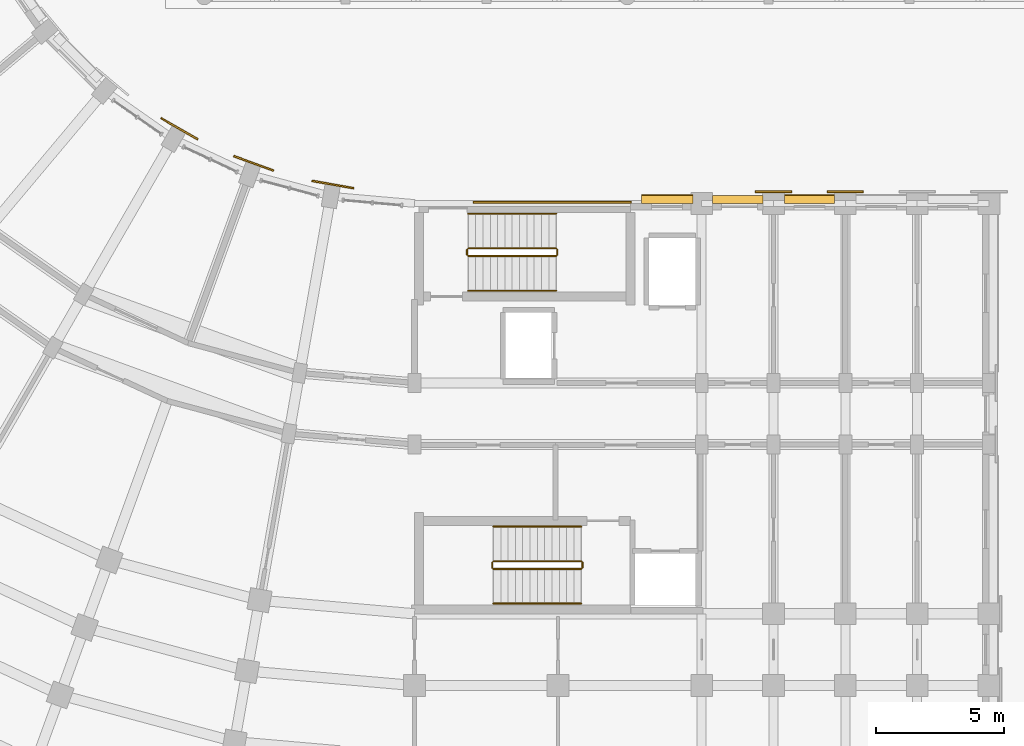
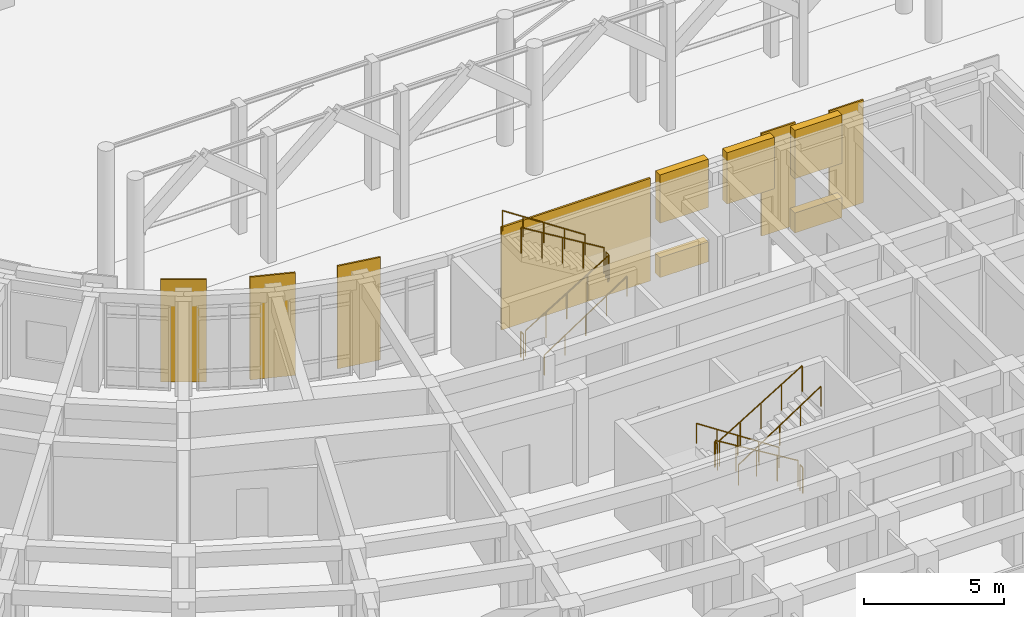
# One storey, part 117 of 135: 12 railings, 11 coverings.
"""IFC4 building model written with IfcOpenShell, lengths in metres."""

import ifcopenshell
import ifcopenshell.guid

model = None  # the IFC model being written
_history = None  # IfcOwnerHistory: only IFC2X3 demands one
_inside = {}  # id of a spatial element -> (the spatial element, [elements in it])
_under = {}  # id of a project, library or spatial element -> (it, [spatial elements below it])
_declared = {}  # id of a project -> (the project, [libraries it declares])
_typed = {}  # id of a type object -> (the type object, [elements of that type])
_made_of = {}  # id of a material, layer set ... -> (it, [elements and type objects made of it])


def new_model(schema):
    """Start an empty IFC model of exactly this schema.

    Asked for "IFC4X3", IfcOpenShell would pick the latest addendum, in which some entities
    have other attributes; the version numbers below select the first issue.
    IFC2X3 requires an IfcOwnerHistory on every rooted entity: one is made here for all.
    """
    global model, _history
    if schema == "IFC4X3":
        model = ifcopenshell.file(schema_version=(4, 3, 0, 0))
    else:
        model = ifcopenshell.file(schema=schema)
    _inside.clear()
    _under.clear()
    _declared.clear()
    _typed.clear()
    _made_of.clear()
    _history = None
    if model.schema == "IFC2X3":
        org = make("IfcOrganization", Name="unknown")
        user = make(
            "IfcPersonAndOrganization",
            ThePerson=make("IfcPerson", FamilyName="unknown"),
            TheOrganization=org,
        )
        app = make(
            "IfcApplication",
            ApplicationDeveloper=org,
            Version="unknown",
            ApplicationFullName="unknown",
            ApplicationIdentifier="unknown",
        )
        _history = make(
            "IfcOwnerHistory",
            OwningUser=user,
            OwningApplication=app,
            ChangeAction="ADDED",
            CreationDate=0,
        )
    return model


def make(cls, **values):
    """One entity of the class cls with the attributes given. An attribute that is None is left unset."""
    return model.create_entity(
        cls, **{name: value for name, value in values.items() if value is not None}
    )


def rooted(cls, **values):
    """An entity with a GlobalId (a new one), such as an element, a storey or a relation."""
    return make(cls, GlobalId=ifcopenshell.guid.new(), OwnerHistory=_history, **values)


def si_unit(unit_type, name, prefix=None):
    """IfcSIUnit, for example si_unit("LENGTHUNIT", "METRE", prefix="MILLI")."""
    return make("IfcSIUnit", UnitType=unit_type, Prefix=prefix, Name=name)


def assignment(units):
    """IfcUnitAssignment: the units of a project."""
    return None if units is None else make("IfcUnitAssignment", Units=units)


def point(xyz):
    """IfcCartesianPoint."""
    return None if xyz is None else make("IfcCartesianPoint", Coordinates=xyz)


def direction(xyz):
    """IfcDirection."""
    return None if xyz is None else make("IfcDirection", DirectionRatios=xyz)


def frame(location, z_axis=None, x_axis=None):
    """IfcAxis2Placement3D, a coordinate frame: its origin and axes. An axis left out is left unset."""
    return make(
        "IfcAxis2Placement3D",
        Location=point(location),
        Axis=direction(z_axis),
        RefDirection=direction(x_axis),
    )


def frame_2d(location, x_axis=None):
    """IfcAxis2Placement2D, a coordinate frame in the plane: its origin and x axis."""
    return make(
        "IfcAxis2Placement2D", Location=point(location), RefDirection=direction(x_axis)
    )


def origin():
    """The frame at (0, 0, 0) with its axes left unset."""
    return frame((0.0, 0.0, 0.0))


def origin_2d():
    """The frame at (0, 0) in the plane with its x axis left unset."""
    return frame_2d((0.0, 0.0))


def place(relative_to, where):
    """IfcLocalPlacement: puts the frame where relative to a parent placement (None: the world)."""
    return make(
        "IfcLocalPlacement", PlacementRelTo=relative_to, RelativePlacement=where
    )


def context(
    kind, dimensions, precision=None, world=None, true_north=None, identifier=None
):
    """IfcGeometricRepresentationContext, for example the 3D "Model" context."""
    return make(
        "IfcGeometricRepresentationContext",
        ContextIdentifier=identifier,
        ContextType=kind,
        CoordinateSpaceDimension=dimensions,
        Precision=precision,
        WorldCoordinateSystem=world,
        TrueNorth=true_north,
    )


def subcontext(parent, identifier, kind, view, scale=None):
    """IfcGeometricRepresentationSubContext, for example "Body" below "Model"."""
    return make(
        "IfcGeometricRepresentationSubContext",
        ContextIdentifier=identifier,
        ContextType=kind,
        ParentContext=parent,
        TargetScale=scale,
        TargetView=view,
    )


def project(units=None, contexts=None):
    """IfcProject with its units and contexts."""
    return rooted(
        "IfcProject",
        Name="project",
        RepresentationContexts=contexts,
        UnitsInContext=assignment(units),
    )


def spatial(cls, under=None, at=None, **own):
    """A site, building, storey or space (cls), placed at a placement, below another one or the project."""
    s = rooted(cls, ObjectPlacement=at, **own)
    if under is not None:
        _under.setdefault(under.id(), (under, []))[1].append(s)
    return s


def polyline(points):
    """IfcPolyline through the points."""
    return make("IfcPolyline", Points=[point(p) for p in points])


def profile(cls, at=None, kind="AREA", **sizes):
    """A parametric profile (cls). Its sizes go by their IFC names, for example OverallWidth=200.0."""
    return make(cls, ProfileType=kind, Position=at, **sizes)


def circle(**sizes):
    """IfcCircleProfileDef."""
    return profile("IfcCircleProfileDef", **sizes)


def outline(outer, holes=None, kind="AREA"):
    """IfcArbitraryClosedProfileDef: a profile drawn as a closed curve; with holes, ...WithVoids."""
    if holes is None:
        return make("IfcArbitraryClosedProfileDef", ProfileType=kind, OuterCurve=outer)
    return make(
        "IfcArbitraryProfileDefWithVoids",
        ProfileType=kind,
        OuterCurve=outer,
        InnerCurves=holes,
    )


def extrude(swept, where, along, depth):
    """IfcExtrudedAreaSolid: the profile swept, set in the frame where, extruded along a direction by depth."""
    return make(
        "IfcExtrudedAreaSolid",
        SweptArea=swept,
        Position=where,
        ExtrudedDirection=direction(along),
        Depth=depth,
    )


def shape(context_of_items, identifier, shape_type, items):
    """IfcShapeRepresentation: the items that make up one representation, for example the "Body"."""
    return make(
        "IfcShapeRepresentation",
        ContextOfItems=context_of_items,
        RepresentationIdentifier=identifier,
        RepresentationType=shape_type,
        Items=items,
    )


def material(Name=None, Category=None):
    """IfcMaterial."""
    return make("IfcMaterial", Name=Name, Category=Category)


def layer(
    of_material, thickness, ventilated=None, Name=None, Category=None, Priority=None
):
    """IfcMaterialLayer: one layer of a wall or slab, of a material (None: an air gap)."""
    return make(
        "IfcMaterialLayer",
        Material=of_material,
        LayerThickness=thickness,
        IsVentilated=ventilated,
        Name=Name,
        Category=Category,
        Priority=Priority,
    )


def layer_set(layers, Name=None):
    """IfcMaterialLayerSet."""
    return make("IfcMaterialLayerSet", MaterialLayers=layers, LayerSetName=Name)


def made_of(thing, what):
    """Note that an element or type object is made of a material, layer set ...; save() writes the relation."""
    if what is not None:
        _made_of.setdefault(what.id(), (what, []))[1].append(thing)
    return thing


def type_object(cls, material=None, **own):
    """A type object (cls), such as IfcWallType, which elements share."""
    return made_of(rooted(cls, **own), material)


def element(
    cls,
    number,
    at=None,
    inside=None,
    cuts=None,
    type_object=None,
    material=None,
    context=None,
    identifier="Body",
    shape_type=None,
    held_by="IfcProductDefinitionShape",
    body=None,
    shapes=None,
    **own,
):
    """One element of the class cls, such as IfcWall. Its Tag is "e" and its number.

    at: its placement. inside: the storey or other place that contains it. cuts: it is an
    opening in that element (IfcRelVoidsElement). A single representation is given by context,
    identifier, shape_type and body (its items); several are given by shapes. held_by: the class
    of the entity that holds the representations. save() writes the other relations.
    """
    e = rooted(cls, Tag="e%d" % number, ObjectPlacement=at, **own)
    if body is not None:
        shapes = [shape(context, identifier, shape_type, body)]
    if shapes is not None:
        e.Representation = make(held_by, Representations=shapes)
    if inside is not None:
        _inside.setdefault(inside.id(), (inside, []))[1].append(e)
    if cuts is not None:
        rooted(
            "IfcRelVoidsElement", RelatingBuildingElement=cuts, RelatedOpeningElement=e
        )
    if type_object is not None:
        _typed.setdefault(type_object.id(), (type_object, []))[1].append(e)
    return made_of(e, material)


def aggregate(whole, parts):
    """IfcRelAggregates: a whole, such as a stair, and the parts it consists of."""
    return rooted("IfcRelAggregates", RelatingObject=whole, RelatedObjects=parts)


def save(model, path):
    """Write the relations noted so far, then the file.

    IfcRelAggregates (storeys below a building ...), IfcRelContainedInSpatialStructure (elements
    in a storey), IfcRelDefinesByType, IfcRelAssociatesMaterial and IfcRelDeclares: one each for
    every whole, place, type object, material and project.
    """
    for whole, parts in _under.values():
        aggregate(whole, parts)
    for where, things in _inside.values():
        rooted(
            "IfcRelContainedInSpatialStructure",
            RelatedElements=things,
            RelatingStructure=where,
        )
    for kind, things in _typed.values():
        rooted("IfcRelDefinesByType", RelatedObjects=things, RelatingType=kind)
    for what, things in _made_of.values():
        rooted("IfcRelAssociatesMaterial", RelatedObjects=things, RelatingMaterial=what)
    for by, libraries in _declared.values():
        rooted("IfcRelDeclares", RelatingContext=by, RelatedDefinitions=libraries)
    model.write(path)


model = new_model("IFC4")

# Units and contexts
model_context = context("Model", 3, precision=1e-05, world=origin(), true_north=direction((0.0, 1.0)))
body_context = subcontext(model_context, "Body", "Model", "MODEL_VIEW")
ifc_project = project(units=[si_unit("LENGTHUNIT", "METRE"), si_unit("AREAUNIT", "SQUARE_METRE"), si_unit("VOLUMEUNIT", "CUBIC_METRE"), si_unit("PLANEANGLEUNIT", "RADIAN"), si_unit("MASSUNIT", "GRAM", prefix="KILO")], contexts=[model_context])

# Site, building, storey
site_placement = place(None, origin())
site = spatial("IfcSite", under=ifc_project, at=site_placement, CompositionType="ELEMENT")
building_placement = place(site_placement, origin())
building = spatial("IfcBuilding", under=site, at=building_placement, Name="Kiranvali Square Residences", CompositionType="ELEMENT")
storey_placement = place(building_placement, origin())
storey = spatial("IfcBuildingStorey", under=building, at=storey_placement, Name="L00", CompositionType="ELEMENT", Elevation=0.0)

# Coverings
ifc_material_1 = material(Name="Honed Porbandar limestone ashlar facade cladding", Category="masonry")
ifc_layer_1 = layer(ifc_material_1, 0.06494140625)
ifc_layer_set_1 = layer_set([ifc_layer_1], Name="Honed Porbandar limestone ashlar facade cladding")
covering_type_1 = type_object("IfcCoveringType", Name="COV-CLAD-PIER", PredefinedType="CLADDING", material=ifc_layer_set_1)
covering_1_placement = place(storey_placement, frame((0.0, 0.0, 0.0048828125)))
element("IfcCovering", 1, at=covering_1_placement, inside=storey, type_object=covering_type_1, Name="Block C L00 garden stair limestone ashlar cladding", PredefinedType="CLADDING", context=body_context, shape_type="SweptSolid", body=[
    extrude(outline(polyline([(50.5, 29.402099609375), (56.64990234375, 29.402099609375), (56.64990234375, 29.47998046875), (50.5, 29.47998046875), (50.5, 29.402099609375)])), origin(), (0.0, 0.0, 1.0), 4.490234375),
])
ifc_layer_2 = layer(ifc_material_1, 0.050048828125)
ifc_layer_set_2 = layer_set([ifc_layer_2], Name="Honed Porbandar limestone ashlar facade cladding")
covering_type_2 = type_object("IfcCoveringType", Name="COV-CLAD-PIER-IN", PredefinedType="CLADDING", material=ifc_layer_set_2)
covering_2_placement = place(storey_placement, frame((0.0, 0.0, 0.0048828125)))
element("IfcCovering", 2, at=covering_2_placement, inside=storey, type_object=covering_type_2, Name="L00 Classical garden courtyard pilaster CLAD-PRIN-C-L00-A01", PredefinedType="CLADDING", context=body_context, shape_type="SweptSolid", body=[
    extrude(outline(polyline([(45.83349609375, 30.02783203125), (44.20849609375, 30.314453125), (44.19677734375, 30.247802734375), (45.82177734375, 29.96142578125), (45.83349609375, 30.02783203125)])), origin(), (0.0, 0.0, 1.0), 4.490234375),
])
covering_3_placement = place(storey_placement, frame((0.0, 0.0, 0.0048828125)))
element("IfcCovering", 3, at=covering_3_placement, inside=storey, type_object=covering_type_2, Name="L00 Classical garden courtyard pilaster CLAD-PRIN-C-L00-A02", PredefinedType="CLADDING", context=body_context, shape_type="SweptSolid", body=[
    extrude(outline(polyline([(42.7138671875, 30.71484375), (41.163330078125, 31.279296875), (41.140380859375, 31.2158203125), (42.69091796875, 30.6513671875), (42.7138671875, 30.71484375)])), origin(), (0.0, 0.0, 1.0), 4.490234375),
])
covering_4_placement = place(storey_placement, frame((0.0, 0.0, 0.0048828125)))
element("IfcCovering", 4, at=covering_4_placement, inside=storey, type_object=covering_type_2, Name="L00 Classical garden courtyard pilaster CLAD-PRIN-C-L00-A03", PredefinedType="CLADDING", context=body_context, shape_type="SweptSolid", body=[
    extrude(outline(polyline([(39.760986328125, 31.93310546875), (38.33203125, 32.758056640625), (38.29833984375, 32.69970703125), (39.727294921875, 31.874755859375), (39.760986328125, 31.93310546875)])), origin(), (0.0, 0.0, 1.0), 4.490234375),
])
covering_5_placement = place(storey_placement, frame((0.0, 0.0, 0.0048828125)))
element("IfcCovering", 5, at=covering_5_placement, inside=storey, type_object=covering_type_2, Name="L00 Classical limestone pilaster casing CLAD-PRA1I-C-L00-U140", PredefinedType="CLADDING", context=body_context, shape_type="SweptSolid", body=[
    extrude(outline(polyline([(61.4951171875, 29.825439453125), (62.905029296875, 29.825439453125), (62.905029296875, 29.89306640625), (61.4951171875, 29.89306640625), (61.4951171875, 29.825439453125)])), origin(), (0.0, 0.0, 1.0), 4.490234375),
])
covering_6_placement = place(storey_placement, frame((0.0, 0.0, 0.0048828125)))
element("IfcCovering", 6, at=covering_6_placement, inside=storey, type_object=covering_type_2, Name="L00 Classical limestone pilaster casing CLAD-PRA1I-C-L00-U167", PredefinedType="CLADDING", context=body_context, shape_type="SweptSolid", body=[
    extrude(outline(polyline([(64.294921875, 29.825439453125), (65.705078125, 29.825439453125), (65.705078125, 29.89306640625), (64.294921875, 29.89306640625), (64.294921875, 29.825439453125)])), origin(), (0.0, 0.0, 1.0), 4.490234375),
])
ifc_layer_3 = layer(ifc_material_1, 0.360107421875)
ifc_layer_set_3 = layer_set([ifc_layer_3], Name="Honed Porbandar limestone ashlar facade cladding")
covering_type_3 = type_object("IfcCoveringType", Name="COV-CLAD-WALL", PredefinedType="CLADDING", material=ifc_layer_set_3)
covering_7_placement = place(storey_placement, frame((0.0, 0.0, 2.3798828125)))
element("IfcCovering", 7, at=covering_7_placement, inside=storey, type_object=covering_type_3, Name="L00 light limestone spandrel lintel C-L00-A1IN-0", PredefinedType="CLADDING", context=body_context, shape_type="SweptSolid", body=[
    extrude(outline(polyline([(57.050048828125, 29.400390625), (59.050048828125, 29.400390625), (59.050048828125, 29.719970703125), (57.050048828125, 29.719970703125), (57.050048828125, 29.400390625)])), origin(), (0.0, 0.0, 1.0), 2.115234375),
])
covering_8_placement = place(storey_placement, frame((0.0, 0.0, 0.0048828125)))
element("IfcCovering", 8, at=covering_8_placement, inside=storey, type_object=covering_type_3, Name="L00 limestone window sill apron C-L00-A1IN-0", PredefinedType="CLADDING", context=body_context, shape_type="SweptSolid", body=[
    extrude(outline(polyline([(57.050048828125, 29.400390625), (59.050048828125, 29.400390625), (59.050048828125, 29.75), (57.050048828125, 29.75), (57.050048828125, 29.400390625)])), origin(), (0.0, 0.0, 1.0), 0.875),
])
covering_9_placement = place(storey_placement, frame((0.0, 0.0, 2.25)))
element("IfcCovering", 9, at=covering_9_placement, inside=storey, type_object=covering_type_3, Name="L00 light limestone spandrel lintel C-L00-A1I-0", PredefinedType="CLADDING", context=body_context, shape_type="SweptSolid", body=[
    extrude(outline(polyline([(59.820068359375, 29.400390625), (61.780029296875, 29.400390625), (61.780029296875, 29.719970703125), (59.820068359375, 29.719970703125), (59.820068359375, 29.400390625)])), origin(), (0.0, 0.0, 1.0), 2.2451171875),
])
covering_10_placement = place(storey_placement, frame((0.0, 0.0, 2.3798828125)))
element("IfcCovering", 10, at=covering_10_placement, inside=storey, type_object=covering_type_3, Name="L00 light limestone spandrel lintel C-L00-A1I-1", PredefinedType="CLADDING", context=body_context, shape_type="SweptSolid", body=[
    extrude(outline(polyline([(62.6201171875, 29.400390625), (64.580078125, 29.400390625), (64.580078125, 29.719970703125), (62.6201171875, 29.719970703125), (62.6201171875, 29.400390625)])), origin(), (0.0, 0.0, 1.0), 2.115234375),
])
covering_11_placement = place(storey_placement, frame((0.0, 0.0, 0.0048828125)))
element("IfcCovering", 11, at=covering_11_placement, inside=storey, type_object=covering_type_3, Name="L00 limestone window sill apron C-L00-A1I-1", PredefinedType="CLADDING", context=body_context, shape_type="SweptSolid", body=[
    extrude(outline(polyline([(62.6201171875, 29.400390625), (64.580078125, 29.400390625), (64.580078125, 29.75), (62.6201171875, 29.75), (62.6201171875, 29.400390625)])), origin(), (0.0, 0.0, 1.0), 0.875),
])

# Railings
ifc_material_2 = material(Name="Brushed stainless steel tubular handrail", Category="steel")
railing_type_1 = type_object("IfcRailingType", Name="RL-HANDRAIL-900", PredefinedType="HANDRAIL", material=ifc_material_2)
railing_1_placement = place(storey_placement, frame((54.699951171875, 16.800048828125, 0.173095703125)))
element("IfcRailing", 12, at=railing_1_placement, inside=storey, type_object=railing_type_1, Name="L00 ST-C1 stair handrail 1", PredefinedType="HANDRAIL", context=body_context, shape_type="SweptSolid", body=[
    extrude(circle(Radius=0.02392578125, at=origin_2d()), frame((0.0, 0.0, 0.8759765625), z_axis=(-0.835411317272, 0.0, 0.549625264133), x_axis=(0.0, -1.0, 0.0)), (0.0, 0.0, 1.0), 4.09375),
    extrude(circle(Radius=0.02099609375, at=origin_2d()), origin(), (0.0, 0.0, 1.0), 0.851806640625),
    extrude(circle(Radius=0.02099609375, at=origin_2d()), frame((-0.85498046875, 0.0, 0.5625)), (0.0, 0.0, 1.0), 0.851806640625),
    extrude(circle(Radius=0.02099609375, at=origin_2d()), frame((-1.7099609375, 0.0, 1.125)), (0.0, 0.0, 1.0), 0.851806640625),
    extrude(circle(Radius=0.02099609375, at=origin_2d()), frame((-2.56494140625, 0.0, 1.6875)), (0.0, 0.0, 1.0), 0.851806640625),
    extrude(circle(Radius=0.02099609375, at=origin_2d()), frame((-3.419921875, 0.0, 2.25)), (0.0, 0.0, 1.0), 0.851806640625),
])
for number, where, name in (
    (13, (51.280029296875, 13.800048828125, 2.423095703125), "L00 ST-C1 stair handrail 2"),
    (14, (50.300048828125, 26.0, 0.173095703125), "L00 ST-C2 stair handrail 1"),
):
    element("IfcRailing", number, at=place(storey_placement, frame(where)), inside=storey, type_object=railing_type_1, Name=name, PredefinedType="HANDRAIL", context=body_context, shape_type="SweptSolid", body=[
        extrude(circle(Radius=0.02392578125, at=origin_2d()), frame((0.0, 0.0, 0.8759765625), z_axis=(0.835411317272, 0.0, 0.549625264133), x_axis=(0.0, 1.0, 0.0)), (0.0, 0.0, 1.0), 4.09375),
        extrude(circle(Radius=0.02099609375, at=origin_2d()), origin(), (0.0, 0.0, 1.0), 0.851806640625),
        extrude(circle(Radius=0.02099609375, at=origin_2d()), frame((0.85498046875, 0.0, 0.5625)), (0.0, 0.0, 1.0), 0.851806640625),
        extrude(circle(Radius=0.02099609375, at=origin_2d()), frame((1.7099609375, 0.0, 1.125)), (0.0, 0.0, 1.0), 0.851806640625),
        extrude(circle(Radius=0.02099609375, at=origin_2d()), frame((2.56494140625, 0.0, 1.6875)), (0.0, 0.0, 1.0), 0.851806640625),
        extrude(circle(Radius=0.02099609375, at=origin_2d()), frame((3.419921875, 0.0, 2.25)), (0.0, 0.0, 1.0), 0.851806640625),
    ])
railing_2_placement = place(storey_placement, frame((53.719970703125, 29.0, 2.423095703125)))
element("IfcRailing", 15, at=railing_2_placement, inside=storey, type_object=railing_type_1, Name="L00 ST-C2 stair handrail 2", PredefinedType="HANDRAIL", context=body_context, shape_type="SweptSolid", body=[
    extrude(circle(Radius=0.02392578125, at=origin_2d()), frame((0.0, 0.0, 0.8759765625), z_axis=(-0.835411317272, 0.0, 0.549625264133), x_axis=(0.0, -1.0, 0.0)), (0.0, 0.0, 1.0), 4.09375),
    extrude(circle(Radius=0.02099609375, at=origin_2d()), origin(), (0.0, 0.0, 1.0), 0.851806640625),
    extrude(circle(Radius=0.02099609375, at=origin_2d()), frame((-0.85498046875, 0.0, 0.5625)), (0.0, 0.0, 1.0), 0.851806640625),
    extrude(circle(Radius=0.02099609375, at=origin_2d()), frame((-1.7099609375, 0.0, 1.125)), (0.0, 0.0, 1.0), 0.851806640625),
    extrude(circle(Radius=0.02099609375, at=origin_2d()), frame((-2.56494140625, 0.0, 1.6875)), (0.0, 0.0, 1.0), 0.851806640625),
    extrude(circle(Radius=0.02099609375, at=origin_2d()), frame((-3.419921875, 0.0, 2.25)), (0.0, 0.0, 1.0), 0.851806640625),
])
ifc_material_3 = material(Name="Powder-coated architectural bronze balustrade", Category="steel")
railing_type_2 = type_object("IfcRailingType", Name="RL-ST-GUARD-1200", PredefinedType="GUARDRAIL", material=ifc_material_3)
railing_3_placement = place(storey_placement, frame((54.699951171875, 15.449951171875, 0.173095703125)))
element("IfcRailing", 16, at=railing_3_placement, inside=storey, type_object=railing_type_2, Name="L00 ST-C1 stair guard 1", PredefinedType="GUARDRAIL", context=body_context, shape_type="SweptSolid", body=[
    extrude(circle(Radius=0.02392578125, at=origin_2d()), frame((0.0, 0.0, 1.1259765625), z_axis=(-0.854729506542, 0.0, 0.519073665916), x_axis=(0.0, -1.0, 0.0)), (0.0, 0.0, 1.0), 4.001220703125),
    extrude(circle(Radius=0.02099609375, at=origin_2d()), origin(), (0.0, 0.0, 1.0), 1.101806640625),
    extrude(circle(Radius=0.02099609375, at=origin_2d()), frame((-0.85498046875, 0.0, 0.519287109375)), (0.0, 0.0, 1.0), 1.101806640625),
    extrude(circle(Radius=0.02099609375, at=origin_2d()), frame((-1.7099609375, 0.0, 1.03857421875)), (0.0, 0.0, 1.0), 1.101806640625),
    extrude(circle(Radius=0.02099609375, at=origin_2d()), frame((-2.56494140625, 0.0, 1.5576171875)), (0.0, 0.0, 1.0), 1.101806640625),
    extrude(circle(Radius=0.02099609375, at=origin_2d()), frame((-3.419921875, 0.0, 2.076904296875)), (0.0, 0.0, 1.0), 1.101806640625),
])
railing_4_placement = place(storey_placement, frame((51.22998046875, 15.39990234375, 2.25)))
element("IfcRailing", 17, at=railing_4_placement, inside=storey, type_object=railing_type_2, Name="L00 ST-C1 stair guard 2", PredefinedType="GUARDRAIL", context=body_context, shape_type="SweptSolid", body=[
    extrude(circle(Radius=0.02392578125, at=origin_2d()), frame((0.0, 0.0, 1.1259765625), z_axis=(0.0, -1.0, 0.0), x_axis=(1.0, 0.0, 0.0)), (0.0, 0.0, 1.0), 0.199951171875),
    extrude(circle(Radius=0.02099609375, at=origin_2d()), origin(), (0.0, 0.0, 1.0), 1.101806640625),
    extrude(circle(Radius=0.02099609375, at=origin_2d()), frame((0.0, -0.199951171875, 0.0)), (0.0, 0.0, 1.0), 1.101806640625),
])
railing_5_placement = place(storey_placement, frame((51.280029296875, 15.14990234375, 2.423095703125)))
element("IfcRailing", 18, at=railing_5_placement, inside=storey, type_object=railing_type_2, Name="L00 ST-C1 stair guard 3", PredefinedType="GUARDRAIL", context=body_context, shape_type="SweptSolid", body=[
    extrude(circle(Radius=0.02392578125, at=origin_2d()), frame((0.0, 0.0, 1.1259765625), z_axis=(0.854729506542, 0.0, 0.519073665916), x_axis=(0.0, 1.0, 0.0)), (0.0, 0.0, 1.0), 4.001220703125),
    extrude(circle(Radius=0.02099609375, at=origin_2d()), origin(), (0.0, 0.0, 1.0), 1.101806640625),
    extrude(circle(Radius=0.02099609375, at=origin_2d()), frame((0.85498046875, 0.0, 0.519287109375)), (0.0, 0.0, 1.0), 1.101806640625),
    extrude(circle(Radius=0.02099609375, at=origin_2d()), frame((1.7099609375, 0.0, 1.03857421875)), (0.0, 0.0, 1.0), 1.101806640625),
    extrude(circle(Radius=0.02099609375, at=origin_2d()), frame((2.56494140625, 0.0, 1.5576171875)), (0.0, 0.0, 1.0), 1.101806640625),
    extrude(circle(Radius=0.02099609375, at=origin_2d()), frame((3.419921875, 0.0, 2.076904296875)), (0.0, 0.0, 1.0), 1.101806640625),
])
railing_6_placement = place(storey_placement, frame((54.75, 15.39990234375, 0.0)))
element("IfcRailing", 19, at=railing_6_placement, inside=storey, type_object=railing_type_2, Name="L00 ST-C1 stair guard 4", PredefinedType="GUARDRAIL", context=body_context, shape_type="SweptSolid", body=[
    extrude(circle(Radius=0.02392578125, at=origin_2d()), frame((0.0, 0.0, 1.1259765625), z_axis=(0.0, -1.0, 0.0), x_axis=(1.0, 0.0, 0.0)), (0.0, 0.0, 1.0), 0.199951171875),
    extrude(circle(Radius=0.02099609375, at=origin_2d()), origin(), (0.0, 0.0, 1.0), 1.101806640625),
    extrude(circle(Radius=0.02099609375, at=origin_2d()), frame((0.0, -0.199951171875, 0.0)), (0.0, 0.0, 1.0), 1.101806640625),
])
railing_7_placement = place(storey_placement, frame((50.300048828125, 27.35009765625, 0.173095703125)))
element("IfcRailing", 20, at=railing_7_placement, inside=storey, type_object=railing_type_2, Name="L00 ST-C2 stair guard 1", PredefinedType="GUARDRAIL", context=body_context, shape_type="SweptSolid", body=[
    extrude(circle(Radius=0.02392578125, at=origin_2d()), frame((0.0, 0.0, 1.1259765625), z_axis=(0.854729506542, 0.0, 0.519073665916), x_axis=(0.0, 1.0, 0.0)), (0.0, 0.0, 1.0), 4.001220703125),
    extrude(circle(Radius=0.02099609375, at=origin_2d()), origin(), (0.0, 0.0, 1.0), 1.101806640625),
    extrude(circle(Radius=0.02099609375, at=origin_2d()), frame((0.85498046875, 0.0, 0.519287109375)), (0.0, 0.0, 1.0), 1.101806640625),
    extrude(circle(Radius=0.02099609375, at=origin_2d()), frame((1.7099609375, 0.0, 1.03857421875)), (0.0, 0.0, 1.0), 1.101806640625),
    extrude(circle(Radius=0.02099609375, at=origin_2d()), frame((2.56494140625, 0.0, 1.5576171875)), (0.0, 0.0, 1.0), 1.101806640625),
    extrude(circle(Radius=0.02099609375, at=origin_2d()), frame((3.419921875, 0.0, 2.076904296875)), (0.0, 0.0, 1.0), 1.101806640625),
])
railing_8_placement = place(storey_placement, frame((53.77001953125, 27.39990234375, 2.25)))
element("IfcRailing", 21, at=railing_8_placement, inside=storey, type_object=railing_type_2, Name="L00 ST-C2 stair guard 2", PredefinedType="GUARDRAIL", context=body_context, shape_type="SweptSolid", body=[
    extrude(circle(Radius=0.02392578125, at=origin_2d()), frame((0.0, 0.0, 1.1259765625), z_axis=(0.0, 1.0, 0.0), x_axis=(-1.0, 0.0, 0.0)), (0.0, 0.0, 1.0), 0.2001953125),
    extrude(circle(Radius=0.02099609375, at=origin_2d()), origin(), (0.0, 0.0, 1.0), 1.101806640625),
    extrude(circle(Radius=0.02099609375, at=origin_2d()), frame((0.0, 0.2001953125, 0.0)), (0.0, 0.0, 1.0), 1.101806640625),
])
railing_9_placement = place(storey_placement, frame((53.719970703125, 27.64990234375, 2.423095703125)))
element("IfcRailing", 22, at=railing_9_placement, inside=storey, type_object=railing_type_2, Name="L00 ST-C2 stair guard 3", PredefinedType="GUARDRAIL", context=body_context, shape_type="SweptSolid", body=[
    extrude(circle(Radius=0.02392578125, at=origin_2d()), frame((0.0, 0.0, 1.1259765625), z_axis=(-0.854729506542, 0.0, 0.519073665916), x_axis=(0.0, -1.0, 0.0)), (0.0, 0.0, 1.0), 4.001220703125),
    extrude(circle(Radius=0.02099609375, at=origin_2d()), origin(), (0.0, 0.0, 1.0), 1.101806640625),
    extrude(circle(Radius=0.02099609375, at=origin_2d()), frame((-0.85498046875, 0.0, 0.519287109375)), (0.0, 0.0, 1.0), 1.101806640625),
    extrude(circle(Radius=0.02099609375, at=origin_2d()), frame((-1.7099609375, 0.0, 1.03857421875)), (0.0, 0.0, 1.0), 1.101806640625),
    extrude(circle(Radius=0.02099609375, at=origin_2d()), frame((-2.56494140625, 0.0, 1.5576171875)), (0.0, 0.0, 1.0), 1.101806640625),
    extrude(circle(Radius=0.02099609375, at=origin_2d()), frame((-3.419921875, 0.0, 2.076904296875)), (0.0, 0.0, 1.0), 1.101806640625),
])
railing_10_placement = place(storey_placement, frame((50.25, 27.39990234375, 0.0)))
element("IfcRailing", 23, at=railing_10_placement, inside=storey, type_object=railing_type_2, Name="L00 ST-C2 stair guard 4", PredefinedType="GUARDRAIL", context=body_context, shape_type="SweptSolid", body=[
    extrude(circle(Radius=0.02392578125, at=origin_2d()), frame((0.0, 0.0, 1.1259765625), z_axis=(0.0, 1.0, 0.0), x_axis=(-1.0, 0.0, 0.0)), (0.0, 0.0, 1.0), 0.2001953125),
    extrude(circle(Radius=0.02099609375, at=origin_2d()), origin(), (0.0, 0.0, 1.0), 1.101806640625),
    extrude(circle(Radius=0.02099609375, at=origin_2d()), frame((0.0, 0.2001953125, 0.0)), (0.0, 0.0, 1.0), 1.101806640625),
])

save(model, "model.ifc")
